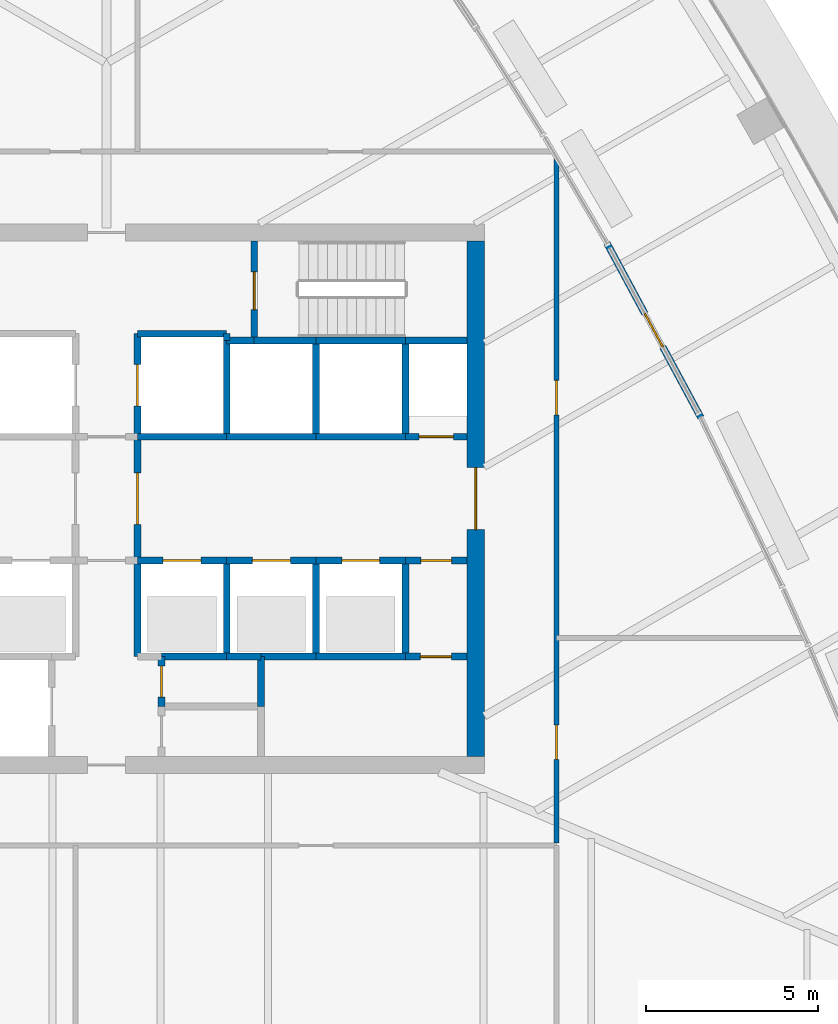
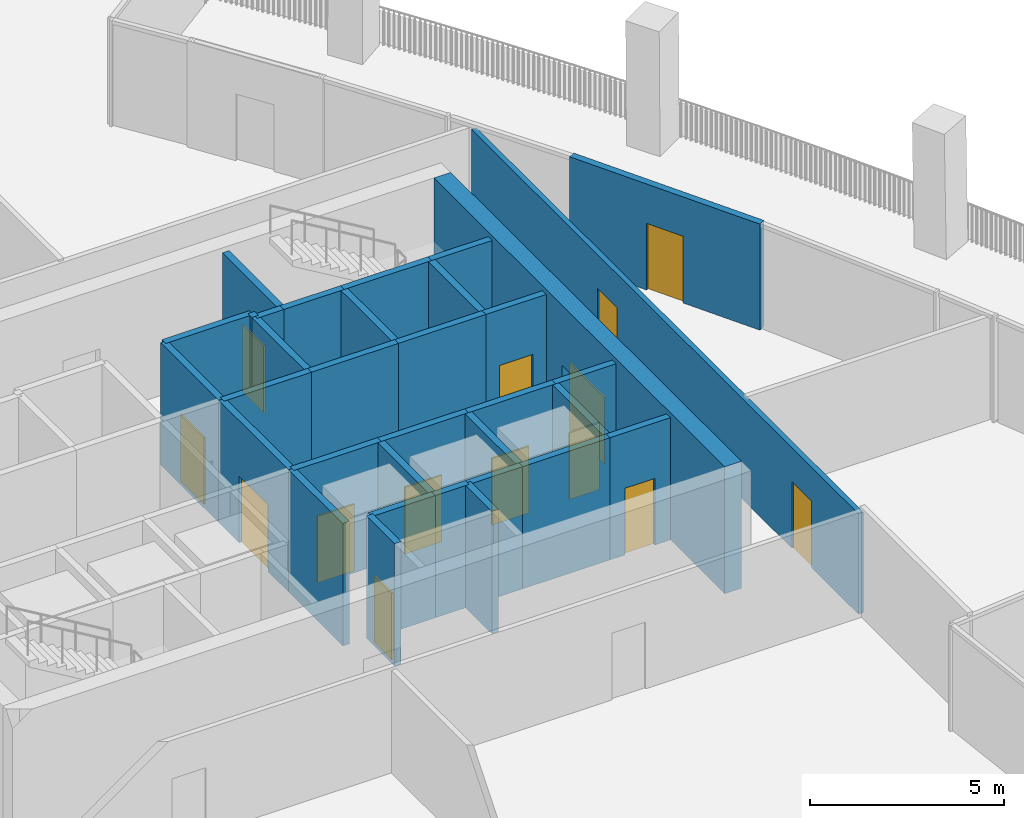
# One storey, part 14 of 20: 34 walls, 14 doors, 14 openings.
"""IFC4 building model written with IfcOpenShell, lengths in metres."""

from ifc_helpers import new_model, si_unit, direction, frame, frame_2d, origin, place, context, subcontext, project, spatial, rectangle, extrude, material, layer, layer_set, type_object, element, fill, save


model = new_model("IFC4")

# Units and contexts
model_context = context("Model", 3, precision=1e-05, world=origin(), true_north=direction((0.0, 1.0)))
body_context = subcontext(model_context, "Body", "Model", "MODEL_VIEW")
ifc_project = project(units=[si_unit("LENGTHUNIT", "METRE"), si_unit("AREAUNIT", "SQUARE_METRE"), si_unit("VOLUMEUNIT", "CUBIC_METRE"), si_unit("PLANEANGLEUNIT", "RADIAN"), si_unit("MASSUNIT", "GRAM", prefix="KILO")], contexts=[model_context])

# Site, building, storey
site_placement = place(None, origin())
site = spatial("IfcSite", under=ifc_project, at=site_placement, CompositionType="ELEMENT")
building_placement = place(site_placement, origin())
building = spatial("IfcBuilding", under=site, at=building_placement, Name="Sierra Prisma Convention Tower", CompositionType="ELEMENT")
storey_placement = place(building_placement, frame((0.0, 0.0, 125.800048828125)))
storey = spatial("IfcBuildingStorey", under=building, at=storey_placement, Name="L26", CompositionType="ELEMENT", Elevation=125.800048828125)

# Wall, opening, door
ifc_material_1 = material(Name="Concrete C30/37", Category="concrete")
ifc_layer_1 = layer(ifc_material_1, 0.199951171875)
ifc_layer_set_1 = layer_set([ifc_layer_1], Name="Core wall RC 200 C30/37")
wall_type_1 = type_object("IfcWallType", Name="Core wall RC 200 C30/37", PredefinedType="SOLIDWALL", material=ifc_layer_set_1)
wall_1_placement = place(storey_placement, frame((0.89990234375, -1.800048828125, 0.0), z_axis=(0.0, 0.0, 1.0), x_axis=(1.0, 0.0, 0.0)))
wall_1 = element("IfcWall", 1, at=wall_1_placement, inside=storey, type_object=wall_type_1, Name="Core wall L26 35", PredefinedType="SOLIDWALL", context=body_context, shape_type="SweptSolid", body=[
    extrude(rectangle(XDim=2.60009765625, YDim=0.199951171875, at=frame_2d((1.300048828125, 0.0))), origin(), (0.0, 0.0, 1.0), 3.849853515625),
])
opening_1_placement = place(wall_1_placement, frame((0.75, 0.0, 0.0)))
opening_1 = element("IfcOpeningElement", 2, at=opening_1_placement, cuts=wall_1, Name="Opening L26-D007", PredefinedType="OPENING", context=body_context, shape_type="SweptSolid", body=[
    extrude(rectangle(XDim=1.10009765625, YDim=2.10009765625, at=frame_2d((0.550048828125, 1.050048828125))), frame((0.0, 0.10009765625, 0.0), z_axis=(0.0, -1.0, 0.0), x_axis=(1.0, 0.0, 0.0)), (0.0, 0.0, 1.0), 0.199951171875),
])
ifc_material_2 = material(Name="Steel fire door leaf", Category="steel")
door_type_1 = type_object("IfcDoorType", Name="Door 1100x2100 EI 90 sliding lift landing", OperationType="SLIDING_TO_LEFT", PredefinedType="DOOR", material=ifc_material_2)
door_1_placement = place(opening_1_placement, origin())
door_1 = element("IfcDoor", 3, at=door_1_placement, inside=storey, type_object=door_type_1, Name="Door L26 14", OperationType="SLIDING_TO_RIGHT", OverallHeight=2.10009765625, OverallWidth=1.10009765625, PredefinedType="DOOR", context=body_context, shape_type="SweptSolid", body=[
    extrude(rectangle(XDim=1.10009765625, YDim=2.10009765625, at=frame_2d((0.550048828125, 1.050048828125))), frame((0.0, 0.02490234375, 0.0), z_axis=(0.0, -1.0, 0.0), x_axis=(1.0, 0.0, 0.0)), (0.0, 0.0, 1.0), 0.050048828125),
])
fill(opening_1, door_1)

wall_2_placement = place(storey_placement, frame((0.89990234375, -1.800048828125, 0.0), z_axis=(0.0, 0.0, 1.0), x_axis=(0.0, 1.0, 0.0)))
wall_2 = element("IfcWall", 4, at=wall_2_placement, inside=storey, type_object=wall_type_1, Name="Core wall L26 36", PredefinedType="SOLIDWALL", context=body_context, shape_type="SweptSolid", body=[
    extrude(rectangle(XDim=3.60009765625, YDim=0.199951171875, at=frame_2d((1.800048828125, 0.0))), origin(), (0.0, 0.0, 1.0), 3.849853515625),
])
opening_2_placement = place(wall_2_placement, frame((1.050048828125, 0.0, 0.0)))
opening_2 = element("IfcOpeningElement", 5, at=opening_2_placement, cuts=wall_2, Name="Opening L26-D014", PredefinedType="OPENING", context=body_context, shape_type="SweptSolid", body=[
    extrude(rectangle(XDim=1.5, YDim=2.10009765625, at=frame_2d((0.75, 1.050048828125))), frame((0.0, 0.10009765625, 0.0), z_axis=(0.0, -1.0, 0.0), x_axis=(1.0, 0.0, 0.0)), (0.0, 0.0, 1.0), 0.199951171875),
])
ifc_material_3 = material(Name="Steel fire door leaf", Category="steel")
door_type_2 = type_object("IfcDoorType", Name="Door 1500x2100 FD30S", OperationType="DOUBLE_DOOR_SINGLE_SWING", PredefinedType="DOOR", material=ifc_material_3)
door_2_placement = place(opening_2_placement, origin())
door_2 = element("IfcDoor", 6, at=door_2_placement, inside=storey, type_object=door_type_2, Name="Door L26 21", OperationType="DOUBLE_DOOR_SINGLE_SWING", OverallHeight=2.10009765625, OverallWidth=1.5, PredefinedType="DOOR", context=body_context, shape_type="SweptSolid", body=[
    extrude(rectangle(XDim=1.5, YDim=2.10009765625, at=frame_2d((0.75, 1.050048828125))), frame((0.0, 0.02490234375, 0.0), z_axis=(0.0, -1.0, 0.0), x_axis=(1.0, 0.0, 0.0)), (0.0, 0.0, 1.0), 0.050048828125),
])
fill(opening_2, door_2)

# Walls
wall_3_placement = place(storey_placement, frame((0.89990234375, -1.800048828125, 0.0), z_axis=(0.0, 0.0, 1.0), x_axis=(0.0, -1.0, 0.0)))
element("IfcWall", 7, at=wall_3_placement, inside=storey, type_object=wall_type_1, Name="Core wall L26 37", PredefinedType="SOLIDWALL", context=body_context, shape_type="SweptSolid", body=[
    extrude(rectangle(XDim=2.800048828125, YDim=0.199951171875, at=frame_2d((1.39990234375, 0.0))), origin(), (0.0, 0.0, 1.0), 3.849853515625),
])
wall_4_placement = place(storey_placement, frame((3.5, 1.800048828125, 0.0), z_axis=(0.0, 0.0, 1.0), x_axis=(-1.0, 0.0, 0.0)))
element("IfcWall", 8, at=wall_4_placement, inside=storey, type_object=wall_type_1, Name="Core wall L26 39", PredefinedType="SOLIDWALL", context=body_context, shape_type="SweptSolid", body=[
    extrude(rectangle(XDim=2.60009765625, YDim=0.199951171875, at=frame_2d((1.300048828125, 0.0))), origin(), (0.0, 0.0, 1.0), 3.849853515625),
])
wall_5_placement = place(storey_placement, frame((3.5, 4.60009765625, 0.0), z_axis=(0.0, 0.0, 1.0), x_axis=(0.0, 1.0, 0.0)))
element("IfcWall", 9, at=wall_5_placement, inside=storey, type_object=wall_type_1, Name="Core wall L26 40", PredefinedType="SOLIDWALL", context=body_context, shape_type="SweptSolid", body=[
    extrude(rectangle(XDim=0.199951171875, YDim=0.199951171875, at=frame_2d((0.10009765625, 0.0))), origin(), (0.0, 0.0, 1.0), 3.849853515625),
])
wall_6_placement = place(storey_placement, frame((3.5, 4.800048828125, 0.0), z_axis=(0.0, 0.0, 1.0), x_axis=(-1.0, 0.0, 0.0)))
element("IfcWall", 10, at=wall_6_placement, inside=storey, type_object=wall_type_1, Name="Core wall L26 41", PredefinedType="SOLIDWALL", context=body_context, shape_type="SweptSolid", body=[
    extrude(rectangle(XDim=2.60009765625, YDim=0.199951171875, at=frame_2d((1.300048828125, 0.0))), origin(), (0.0, 0.0, 1.0), 3.849853515625),
])

# Wall, opening, door
wall_7_placement = place(storey_placement, frame((0.89990234375, 4.800048828125, 0.0), z_axis=(0.0, 0.0, 1.0), x_axis=(0.0, -1.0, 0.0)))
wall_7 = element("IfcWall", 11, at=wall_7_placement, inside=storey, type_object=wall_type_1, Name="Core wall L26 42", PredefinedType="SOLIDWALL", context=body_context, shape_type="SweptSolid", body=[
    extrude(rectangle(XDim=3.0, YDim=0.199951171875, at=frame_2d((1.5, 0.0))), origin(), (0.0, 0.0, 1.0), 3.849853515625),
])
opening_3_placement = place(wall_7_placement, frame((0.89990234375, 0.0, 0.0)))
opening_3 = element("IfcOpeningElement", 12, at=opening_3_placement, cuts=wall_7, Name="Opening L26-D011", PredefinedType="OPENING", context=body_context, shape_type="SweptSolid", body=[
    extrude(rectangle(XDim=1.199951171875, YDim=2.10009765625, at=frame_2d((0.60009765625, 1.050048828125))), frame((0.0, 0.10009765625, 0.0), z_axis=(0.0, -1.0, 0.0), x_axis=(1.0, 0.0, 0.0)), (0.0, 0.0, 1.0), 0.199951171875),
])
ifc_material_4 = material(Name="Steel fire door leaf", Category="steel")
door_type_3 = type_object("IfcDoorType", Name="Door 1200x2100 EI 90 sliding lift landing", OperationType="SLIDING_TO_LEFT", PredefinedType="DOOR", material=ifc_material_4)
door_3_placement = place(opening_3_placement, origin())
door_3 = element("IfcDoor", 13, at=door_3_placement, inside=storey, type_object=door_type_3, Name="Door L26 18", OperationType="SLIDING_TO_LEFT", OverallHeight=2.10009765625, OverallWidth=1.199951171875, PredefinedType="DOOR", context=body_context, shape_type="SweptSolid", body=[
    extrude(rectangle(XDim=1.199951171875, YDim=2.10009765625, at=frame_2d((0.60009765625, 1.050048828125))), frame((0.0, 0.02490234375, 0.0), z_axis=(0.0, -1.0, 0.0), x_axis=(1.0, 0.0, 0.0)), (0.0, 0.0, 1.0), 0.050048828125),
])
fill(opening_3, door_3)

wall_8_placement = place(storey_placement, frame((1.60009765625, -4.60009765625, 0.0), z_axis=(0.0, 0.0, 1.0), x_axis=(0.0, -1.0, 0.0)))
wall_8 = element("IfcWall", 14, at=wall_8_placement, inside=storey, type_object=wall_type_1, Name="Core wall L26 45", PredefinedType="SOLIDWALL", context=body_context, shape_type="SweptSolid", body=[
    extrude(rectangle(XDim=1.449951171875, YDim=0.199951171875, at=frame_2d((0.72509765625, 0.0))), origin(), (0.0, 0.0, 1.0), 3.849853515625),
])
opening_4_placement = place(wall_8_placement, frame((0.27490234375, 0.0, 0.0)))
opening_4 = element("IfcOpeningElement", 15, at=opening_4_placement, cuts=wall_8, Name="Opening L26-D026", PredefinedType="OPENING", context=body_context, shape_type="SweptSolid", body=[
    extrude(rectangle(XDim=0.89990234375, YDim=2.10009765625, at=frame_2d((0.449951171875, 1.050048828125))), frame((0.0, 0.10009765625, 0.0), z_axis=(0.0, -1.0, 0.0), x_axis=(1.0, 0.0, 0.0)), (0.0, 0.0, 1.0), 0.199951171875),
])
ifc_material_5 = material(Name="Steel fire door leaf", Category="steel")
door_type_4 = type_object("IfcDoorType", Name="Door 900x2100 FD30S", OperationType="SINGLE_SWING_LEFT", PredefinedType="DOOR", material=ifc_material_5)
door_4_placement = place(opening_4_placement, origin())
door_4 = element("IfcDoor", 16, at=door_4_placement, inside=storey, type_object=door_type_4, Name="Door L26 33", OperationType="SINGLE_SWING_RIGHT", OverallHeight=2.10009765625, OverallWidth=0.89990234375, PredefinedType="DOOR", context=body_context, shape_type="SweptSolid", body=[
    extrude(rectangle(XDim=0.89990234375, YDim=2.10009765625, at=frame_2d((0.449951171875, 1.050048828125))), frame((0.0, 0.02490234375, 0.0), z_axis=(0.0, -1.0, 0.0), x_axis=(1.0, 0.0, 0.0)), (0.0, 0.0, 1.0), 0.050048828125),
])
fill(opening_4, door_4)

# Walls
wall_9_placement = place(storey_placement, frame((3.5, -4.60009765625, 0.0), z_axis=(0.0, 0.0, 1.0), x_axis=(-1.0, 0.0, 0.0)))
element("IfcWall", 17, at=wall_9_placement, inside=storey, type_object=wall_type_1, Name="Core wall L26 46", PredefinedType="SOLIDWALL", context=body_context, shape_type="SweptSolid", body=[
    extrude(rectangle(XDim=1.89990234375, YDim=0.199951171875, at=frame_2d((0.949951171875, 0.0))), origin(), (0.0, 0.0, 1.0), 3.849853515625),
])
wall_10_placement = place(storey_placement, frame((4.5, -4.60009765625, 0.0), z_axis=(0.0, 0.0, 1.0), x_axis=(-1.0, 0.0, 0.0)))
element("IfcWall", 18, at=wall_10_placement, inside=storey, type_object=wall_type_1, Name="Core wall L26 47", PredefinedType="SOLIDWALL", context=body_context, shape_type="SweptSolid", body=[
    extrude(rectangle(XDim=1.0, YDim=0.199951171875, at=frame_2d((0.5, 0.0))), origin(), (0.0, 0.0, 1.0), 3.849853515625),
])
wall_11_placement = place(storey_placement, frame((3.5, -4.60009765625, 0.0), z_axis=(0.0, 0.0, 1.0), x_axis=(0.0, 1.0, 0.0)))
element("IfcWall", 19, at=wall_11_placement, inside=storey, type_object=wall_type_1, Name="Core wall L26 48", PredefinedType="SOLIDWALL", context=body_context, shape_type="SweptSolid", body=[
    extrude(rectangle(XDim=2.800048828125, YDim=0.199951171875, at=frame_2d((1.39990234375, 0.0))), origin(), (0.0, 0.0, 1.0), 3.849853515625),
])

# Wall, opening, door
wall_12_placement = place(storey_placement, frame((3.5, -1.800048828125, 0.0), z_axis=(0.0, 0.0, 1.0), x_axis=(1.0, 0.0, 0.0)))
wall_12 = element("IfcWall", 20, at=wall_12_placement, inside=storey, type_object=wall_type_1, Name="Core wall L26 49", PredefinedType="SOLIDWALL", context=body_context, shape_type="SweptSolid", body=[
    extrude(rectangle(XDim=2.60009765625, YDim=0.199951171875, at=frame_2d((1.300048828125, 0.0))), origin(), (0.0, 0.0, 1.0), 3.849853515625),
])
opening_5_placement = place(wall_12_placement, frame((0.75, 0.0, 0.0)))
opening_5 = element("IfcOpeningElement", 21, at=opening_5_placement, cuts=wall_12, Name="Opening L26-D008", PredefinedType="OPENING", context=body_context, shape_type="SweptSolid", body=[
    extrude(rectangle(XDim=1.10009765625, YDim=2.10009765625, at=frame_2d((0.550048828125, 1.050048828125))), frame((0.0, 0.10009765625, 0.0), z_axis=(0.0, -1.0, 0.0), x_axis=(1.0, 0.0, 0.0)), (0.0, 0.0, 1.0), 0.199951171875),
])
door_5_placement = place(opening_5_placement, origin())
door_5 = element("IfcDoor", 22, at=door_5_placement, inside=storey, type_object=door_type_1, Name="Door L26 15", OperationType="SLIDING_TO_LEFT", OverallHeight=2.10009765625, OverallWidth=1.10009765625, PredefinedType="DOOR", context=body_context, shape_type="SweptSolid", body=[
    extrude(rectangle(XDim=1.10009765625, YDim=2.10009765625, at=frame_2d((0.550048828125, 1.050048828125))), frame((0.0, 0.02490234375, 0.0), z_axis=(0.0, -1.0, 0.0), x_axis=(1.0, 0.0, 0.0)), (0.0, 0.0, 1.0), 0.050048828125),
])
fill(opening_5, door_5)

# Walls
wall_13_placement = place(storey_placement, frame((6.10009765625, 1.800048828125, 0.0), z_axis=(0.0, 0.0, 1.0), x_axis=(-1.0, 0.0, 0.0)))
element("IfcWall", 23, at=wall_13_placement, inside=storey, type_object=wall_type_1, Name="Core wall L26 50", PredefinedType="SOLIDWALL", context=body_context, shape_type="SweptSolid", body=[
    extrude(rectangle(XDim=2.60009765625, YDim=0.199951171875, at=frame_2d((1.300048828125, 0.0))), origin(), (0.0, 0.0, 1.0), 3.849853515625),
])
wall_14_placement = place(storey_placement, frame((3.5, 1.800048828125, 0.0), z_axis=(0.0, 0.0, 1.0), x_axis=(0.0, 1.0, 0.0)))
element("IfcWall", 24, at=wall_14_placement, inside=storey, type_object=wall_type_1, Name="Core wall L26 51", PredefinedType="SOLIDWALL", context=body_context, shape_type="SweptSolid", body=[
    extrude(rectangle(XDim=2.800048828125, YDim=0.199951171875, at=frame_2d((1.39990234375, 0.0))), origin(), (0.0, 0.0, 1.0), 3.849853515625),
])
wall_15_placement = place(storey_placement, frame((4.300048828125, 4.60009765625, 0.0), z_axis=(0.0, 0.0, 1.0), x_axis=(-1.0, 0.0, 0.0)))
element("IfcWall", 25, at=wall_15_placement, inside=storey, type_object=wall_type_1, Name="Core wall L26 52", PredefinedType="SOLIDWALL", context=body_context, shape_type="SweptSolid", body=[
    extrude(rectangle(XDim=0.800048828125, YDim=0.199951171875, at=frame_2d((0.39990234375, 0.0))), origin(), (0.0, 0.0, 1.0), 3.849853515625),
])
wall_16_placement = place(storey_placement, frame((6.10009765625, 4.60009765625, 0.0), z_axis=(0.0, 0.0, 1.0), x_axis=(-1.0, 0.0, 0.0)))
element("IfcWall", 26, at=wall_16_placement, inside=storey, type_object=wall_type_1, Name="Core wall L26 53", PredefinedType="SOLIDWALL", context=body_context, shape_type="SweptSolid", body=[
    extrude(rectangle(XDim=1.800048828125, YDim=0.199951171875, at=frame_2d((0.89990234375, 0.0))), origin(), (0.0, 0.0, 1.0), 3.849853515625),
])

# Wall, opening, door
wall_17_placement = place(storey_placement, frame((4.300048828125, 7.5, 0.0), z_axis=(0.0, 0.0, 1.0), x_axis=(0.0, -1.0, 0.0)))
wall_17 = element("IfcWall", 27, at=wall_17_placement, inside=storey, type_object=wall_type_1, Name="Core wall L26 54", PredefinedType="SOLIDWALL", context=body_context, shape_type="SweptSolid", body=[
    extrude(rectangle(XDim=2.89990234375, YDim=0.199951171875, at=frame_2d((1.449951171875, 0.0))), origin(), (0.0, 0.0, 1.0), 3.849853515625),
])
opening_6_placement = place(wall_17_placement, frame((0.89990234375, 0.0, 0.0)))
opening_6 = element("IfcOpeningElement", 28, at=opening_6_placement, cuts=wall_17, Name="Opening L26-D022", PredefinedType="OPENING", context=body_context, shape_type="SweptSolid", body=[
    extrude(rectangle(XDim=1.10009765625, YDim=2.10009765625, at=frame_2d((0.550048828125, 1.050048828125))), frame((0.0, 0.10009765625, 0.0), z_axis=(0.0, -1.0, 0.0), x_axis=(1.0, 0.0, 0.0)), (0.0, 0.0, 1.0), 0.199951171875),
])
ifc_material_6 = material(Name="Steel fire door leaf", Category="steel")
door_type_5 = type_object("IfcDoorType", Name="Door 1100x2100 FD90S", OperationType="SINGLE_SWING_LEFT", PredefinedType="DOOR", material=ifc_material_6)
door_6_placement = place(opening_6_placement, origin())
door_6 = element("IfcDoor", 29, at=door_6_placement, inside=storey, type_object=door_type_5, Name="Door L26 29", OperationType="SINGLE_SWING_LEFT", OverallHeight=2.10009765625, OverallWidth=1.10009765625, PredefinedType="DOOR", context=body_context, shape_type="SweptSolid", body=[
    extrude(rectangle(XDim=1.10009765625, YDim=2.10009765625, at=frame_2d((0.550048828125, 1.050048828125))), frame((0.0, 0.02490234375, 0.0), z_axis=(0.0, -1.0, 0.0), x_axis=(1.0, 0.0, 0.0)), (0.0, 0.0, 1.0), 0.050048828125),
])
fill(opening_6, door_6)

# Walls
wall_18_placement = place(storey_placement, frame((4.5, -4.60009765625, 0.0), z_axis=(0.0, 0.0, 1.0), x_axis=(0.0, -1.0, 0.0)))
element("IfcWall", 30, at=wall_18_placement, inside=storey, type_object=wall_type_1, Name="Core wall L26 56", PredefinedType="SOLIDWALL", context=body_context, shape_type="SweptSolid", body=[
    extrude(rectangle(XDim=1.449951171875, YDim=0.199951171875, at=frame_2d((0.72509765625, 0.0))), origin(), (0.0, 0.0, 1.0), 3.849853515625),
])
wall_19_placement = place(storey_placement, frame((6.10009765625, -4.60009765625, 0.0), z_axis=(0.0, 0.0, 1.0), x_axis=(-1.0, 0.0, 0.0)))
element("IfcWall", 31, at=wall_19_placement, inside=storey, type_object=wall_type_1, Name="Core wall L26 57", PredefinedType="SOLIDWALL", context=body_context, shape_type="SweptSolid", body=[
    extrude(rectangle(XDim=1.60009765625, YDim=0.199951171875, at=frame_2d((0.800048828125, 0.0))), origin(), (0.0, 0.0, 1.0), 3.849853515625),
])
wall_20_placement = place(storey_placement, frame((8.699951171875, -4.60009765625, 0.0), z_axis=(0.0, 0.0, 1.0), x_axis=(-1.0, 0.0, 0.0)))
element("IfcWall", 32, at=wall_20_placement, inside=storey, type_object=wall_type_1, Name="Core wall L26 58", PredefinedType="SOLIDWALL", context=body_context, shape_type="SweptSolid", body=[
    extrude(rectangle(XDim=2.599853515625, YDim=0.199951171875, at=frame_2d((1.2998046875, 0.0))), origin(), (0.0, 0.0, 1.0), 3.849853515625),
])
wall_21_placement = place(storey_placement, frame((6.10009765625, -4.60009765625, 0.0), z_axis=(0.0, 0.0, 1.0), x_axis=(0.0, 1.0, 0.0)))
element("IfcWall", 33, at=wall_21_placement, inside=storey, type_object=wall_type_1, Name="Core wall L26 59", PredefinedType="SOLIDWALL", context=body_context, shape_type="SweptSolid", body=[
    extrude(rectangle(XDim=2.800048828125, YDim=0.199951171875, at=frame_2d((1.39990234375, 0.0))), origin(), (0.0, 0.0, 1.0), 3.849853515625),
])

# Wall, opening, door
wall_22_placement = place(storey_placement, frame((6.10009765625, -1.800048828125, 0.0), z_axis=(0.0, 0.0, 1.0), x_axis=(1.0, 0.0, 0.0)))
wall_22 = element("IfcWall", 34, at=wall_22_placement, inside=storey, type_object=wall_type_1, Name="Core wall L26 60", PredefinedType="SOLIDWALL", context=body_context, shape_type="SweptSolid", body=[
    extrude(rectangle(XDim=2.599853515625, YDim=0.199951171875, at=frame_2d((1.2998046875, 0.0))), origin(), (0.0, 0.0, 1.0), 3.849853515625),
])
opening_7_placement = place(wall_22_placement, frame((0.75, 0.0, 0.0)))
opening_7 = element("IfcOpeningElement", 35, at=opening_7_placement, cuts=wall_22, Name="Opening L26-D009", PredefinedType="OPENING", context=body_context, shape_type="SweptSolid", body=[
    extrude(rectangle(XDim=1.10009765625, YDim=2.10009765625, at=frame_2d((0.550048828125, 1.050048828125))), frame((0.0, 0.10009765625, 0.0), z_axis=(0.0, -1.0, 0.0), x_axis=(1.0, 0.0, 0.0)), (0.0, 0.0, 1.0), 0.199951171875),
])
door_7_placement = place(opening_7_placement, origin())
door_7 = element("IfcDoor", 36, at=door_7_placement, inside=storey, type_object=door_type_1, Name="Door L26 16", OperationType="SLIDING_TO_RIGHT", OverallHeight=2.10009765625, OverallWidth=1.10009765625, PredefinedType="DOOR", context=body_context, shape_type="SweptSolid", body=[
    extrude(rectangle(XDim=1.10009765625, YDim=2.10009765625, at=frame_2d((0.550048828125, 1.050048828125))), frame((0.0, 0.02490234375, 0.0), z_axis=(0.0, -1.0, 0.0), x_axis=(1.0, 0.0, 0.0)), (0.0, 0.0, 1.0), 0.050048828125),
])
fill(opening_7, door_7)

# Walls
wall_23_placement = place(storey_placement, frame((8.699951171875, 1.800048828125, 0.0), z_axis=(0.0, 0.0, 1.0), x_axis=(-1.0, 0.0, 0.0)))
element("IfcWall", 37, at=wall_23_placement, inside=storey, type_object=wall_type_1, Name="Core wall L26 61", PredefinedType="SOLIDWALL", context=body_context, shape_type="SweptSolid", body=[
    extrude(rectangle(XDim=2.599853515625, YDim=0.199951171875, at=frame_2d((1.2998046875, 0.0))), origin(), (0.0, 0.0, 1.0), 3.849853515625),
])
wall_24_placement = place(storey_placement, frame((6.10009765625, 1.800048828125, 0.0), z_axis=(0.0, 0.0, 1.0), x_axis=(0.0, 1.0, 0.0)))
element("IfcWall", 38, at=wall_24_placement, inside=storey, type_object=wall_type_1, Name="Core wall L26 62", PredefinedType="SOLIDWALL", context=body_context, shape_type="SweptSolid", body=[
    extrude(rectangle(XDim=2.800048828125, YDim=0.199951171875, at=frame_2d((1.39990234375, 0.0))), origin(), (0.0, 0.0, 1.0), 3.849853515625),
])
wall_25_placement = place(storey_placement, frame((8.699951171875, 4.60009765625, 0.0), z_axis=(0.0, 0.0, 1.0), x_axis=(-1.0, 0.0, 0.0)))
element("IfcWall", 39, at=wall_25_placement, inside=storey, type_object=wall_type_1, Name="Core wall L26 63", PredefinedType="SOLIDWALL", context=body_context, shape_type="SweptSolid", body=[
    extrude(rectangle(XDim=2.599853515625, YDim=0.199951171875, at=frame_2d((1.2998046875, 0.0))), origin(), (0.0, 0.0, 1.0), 3.849853515625),
])

# Wall, opening, door
wall_26_placement = place(storey_placement, frame((10.5, -4.60009765625, 0.0), z_axis=(0.0, 0.0, 1.0), x_axis=(-1.0, 0.0, 0.0)))
wall_26 = element("IfcWall", 40, at=wall_26_placement, inside=storey, type_object=wall_type_1, Name="Core wall L26 64", PredefinedType="SOLIDWALL", context=body_context, shape_type="SweptSolid", body=[
    extrude(rectangle(XDim=1.800048828125, YDim=0.199951171875, at=frame_2d((0.89990234375, 0.0))), origin(), (0.0, 0.0, 1.0), 3.849853515625),
])
opening_8_placement = place(wall_26_placement, frame((0.4599609375, 0.0, 0.0)))
opening_8 = element("IfcOpeningElement", 41, at=opening_8_placement, cuts=wall_26, Name="Opening L26-D023", PredefinedType="OPENING", context=body_context, shape_type="SweptSolid", body=[
    extrude(rectangle(XDim=0.89990234375, YDim=2.10009765625, at=frame_2d((0.449951171875, 1.050048828125))), frame((0.0, 0.10009765625, 0.0), z_axis=(0.0, -1.0, 0.0), x_axis=(1.0, 0.0, 0.0)), (0.0, 0.0, 1.0), 0.199951171875),
])
door_8_placement = place(opening_8_placement, origin())
door_8 = element("IfcDoor", 42, at=door_8_placement, inside=storey, type_object=door_type_4, Name="Door L26 30", OperationType="SINGLE_SWING_RIGHT", OverallHeight=2.10009765625, OverallWidth=0.89990234375, PredefinedType="DOOR", context=body_context, shape_type="SweptSolid", body=[
    extrude(rectangle(XDim=0.89990234375, YDim=2.10009765625, at=frame_2d((0.449951171875, 1.050048828125))), frame((0.0, 0.02490234375, 0.0), z_axis=(0.0, -1.0, 0.0), x_axis=(1.0, 0.0, 0.0)), (0.0, 0.0, 1.0), 0.050048828125),
])
fill(opening_8, door_8)

# Wall
wall_27_placement = place(storey_placement, frame((8.699951171875, -1.800048828125, 0.0), z_axis=(0.0, 0.0, 1.0), x_axis=(0.0, -1.0, 0.0)))
element("IfcWall", 43, at=wall_27_placement, inside=storey, type_object=wall_type_1, Name="Core wall L26 65", PredefinedType="SOLIDWALL", context=body_context, shape_type="SweptSolid", body=[
    extrude(rectangle(XDim=2.800048828125, YDim=0.199951171875, at=frame_2d((1.39990234375, 0.0))), origin(), (0.0, 0.0, 1.0), 3.849853515625),
])

# Wall, opening, door
wall_28_placement = place(storey_placement, frame((8.699951171875, -1.800048828125, 0.0), z_axis=(0.0, 0.0, 1.0), x_axis=(1.0, 0.0, 0.0)))
wall_28 = element("IfcWall", 44, at=wall_28_placement, inside=storey, type_object=wall_type_1, Name="Core wall L26 66", PredefinedType="SOLIDWALL", context=body_context, shape_type="SweptSolid", body=[
    extrude(rectangle(XDim=1.800048828125, YDim=0.199951171875, at=frame_2d((0.89990234375, 0.0))), origin(), (0.0, 0.0, 1.0), 3.849853515625),
])
opening_9_placement = place(wall_28_placement, frame((0.449951171875, 0.0, 0.0)))
opening_9 = element("IfcOpeningElement", 45, at=opening_9_placement, cuts=wall_28, Name="Opening L26-D024", PredefinedType="OPENING", context=body_context, shape_type="SweptSolid", body=[
    extrude(rectangle(XDim=0.89990234375, YDim=2.10009765625, at=frame_2d((0.449951171875, 1.050048828125))), frame((0.0, 0.10009765625, 0.0), z_axis=(0.0, -1.0, 0.0), x_axis=(1.0, 0.0, 0.0)), (0.0, 0.0, 1.0), 0.199951171875),
])
door_9_placement = place(opening_9_placement, origin())
door_9 = element("IfcDoor", 46, at=door_9_placement, inside=storey, type_object=door_type_4, Name="Door L26 31", OperationType="SINGLE_SWING_LEFT", OverallHeight=2.10009765625, OverallWidth=0.89990234375, PredefinedType="DOOR", context=body_context, shape_type="SweptSolid", body=[
    extrude(rectangle(XDim=0.89990234375, YDim=2.10009765625, at=frame_2d((0.449951171875, 1.050048828125))), frame((0.0, 0.02490234375, 0.0), z_axis=(0.0, -1.0, 0.0), x_axis=(1.0, 0.0, 0.0)), (0.0, 0.0, 1.0), 0.050048828125),
])
fill(opening_9, door_9)

wall_29_placement = place(storey_placement, frame((10.5, 1.800048828125, 0.0), z_axis=(0.0, 0.0, 1.0), x_axis=(-1.0, 0.0, 0.0)))
wall_29 = element("IfcWall", 47, at=wall_29_placement, inside=storey, type_object=wall_type_1, Name="Core wall L26 67", PredefinedType="SOLIDWALL", context=body_context, shape_type="SweptSolid", body=[
    extrude(rectangle(XDim=1.800048828125, YDim=0.199951171875, at=frame_2d((0.89990234375, 0.0))), origin(), (0.0, 0.0, 1.0), 3.849853515625),
])
opening_10_placement = place(wall_29_placement, frame((0.39990234375, 0.0, 0.0)))
opening_10 = element("IfcOpeningElement", 48, at=opening_10_placement, cuts=wall_29, Name="Opening L26-D019", PredefinedType="OPENING", context=body_context, shape_type="SweptSolid", body=[
    extrude(rectangle(XDim=1.0, YDim=2.10009765625, at=frame_2d((0.5, 1.050048828125))), frame((0.0, 0.10009765625, 0.0), z_axis=(0.0, -1.0, 0.0), x_axis=(1.0, 0.0, 0.0)), (0.0, 0.0, 1.0), 0.199951171875),
])
ifc_material_7 = material(Name="Steel fire door leaf", Category="steel")
door_type_6 = type_object("IfcDoorType", Name="Door 1000x2100 FD60S", OperationType="SINGLE_SWING_LEFT", PredefinedType="DOOR", material=ifc_material_7)
door_10_placement = place(opening_10_placement, origin())
door_10 = element("IfcDoor", 49, at=door_10_placement, inside=storey, type_object=door_type_6, Name="Door L26 26", OperationType="SINGLE_SWING_RIGHT", OverallHeight=2.10009765625, OverallWidth=1.0, PredefinedType="DOOR", context=body_context, shape_type="SweptSolid", body=[
    extrude(rectangle(XDim=1.0, YDim=2.10009765625, at=frame_2d((0.5, 1.050048828125))), frame((0.0, 0.02490234375, 0.0), z_axis=(0.0, -1.0, 0.0), x_axis=(1.0, 0.0, 0.0)), (0.0, 0.0, 1.0), 0.050048828125),
])
fill(opening_10, door_10)

# Walls
wall_30_placement = place(storey_placement, frame((8.699951171875, 4.60009765625, 0.0), z_axis=(0.0, 0.0, 1.0), x_axis=(0.0, -1.0, 0.0)))
element("IfcWall", 50, at=wall_30_placement, inside=storey, type_object=wall_type_1, Name="Core wall L26 68", PredefinedType="SOLIDWALL", context=body_context, shape_type="SweptSolid", body=[
    extrude(rectangle(XDim=2.800048828125, YDim=0.199951171875, at=frame_2d((1.39990234375, 0.0))), origin(), (0.0, 0.0, 1.0), 3.849853515625),
])
wall_31_placement = place(storey_placement, frame((10.5, 4.60009765625, 0.0), z_axis=(0.0, 0.0, 1.0), x_axis=(-1.0, 0.0, 0.0)))
element("IfcWall", 51, at=wall_31_placement, inside=storey, type_object=wall_type_1, Name="Core wall L26 69", PredefinedType="SOLIDWALL", context=body_context, shape_type="SweptSolid", body=[
    extrude(rectangle(XDim=1.800048828125, YDim=0.199951171875, at=frame_2d((0.89990234375, 0.0))), origin(), (0.0, 0.0, 1.0), 3.849853515625),
])

# Wall, opening, door
ifc_material_8 = material(Name="Concrete C60/75", Category="concrete")
ifc_layer_2 = layer(ifc_material_8, 0.5)
ifc_layer_set_2 = layer_set([ifc_layer_2], Name="Core wall RC 500 C60/75")
wall_type_2 = type_object("IfcWallType", Name="Core wall RC 500 C60/75", PredefinedType="SHEAR", material=ifc_layer_set_2)
wall_32_placement = place(storey_placement, frame((10.75, -7.5, 0.0), z_axis=(0.0, 0.0, 1.0), x_axis=(0.0, 1.0, 0.0)))
wall_32 = element("IfcWall", 52, at=wall_32_placement, inside=storey, type_object=wall_type_2, Name="Core wall E L26", PredefinedType="SHEAR", context=body_context, shape_type="SweptSolid", body=[
    extrude(rectangle(XDim=15.0, YDim=0.5, at=frame_2d((7.5, 0.0))), origin(), (0.0, 0.0, 1.0), 4.0),
])
opening_11_placement = place(wall_32_placement, frame((6.60009765625, 0.0, 0.0)))
opening_11 = element("IfcOpeningElement", 53, at=opening_11_placement, cuts=wall_32, Name="Opening L26-D037", PredefinedType="OPENING", context=body_context, shape_type="SweptSolid", body=[
    extrude(rectangle(XDim=1.800048828125, YDim=2.10009765625, at=frame_2d((0.89990234375, 1.050048828125))), frame((0.0, 0.25, 0.0), z_axis=(0.0, -1.0, 0.0), x_axis=(1.0, 0.0, 0.0)), (0.0, 0.0, 1.0), 0.5),
])
ifc_material_9 = material(Name="Steel fire door leaf", Category="steel")
door_type_7 = type_object("IfcDoorType", Name="Door 1800x2100 FD60S", OperationType="DOUBLE_DOOR_SINGLE_SWING", PredefinedType="DOOR", material=ifc_material_9)
door_11_placement = place(opening_11_placement, origin())
door_11 = element("IfcDoor", 54, at=door_11_placement, inside=storey, type_object=door_type_7, Name="Door L26 35", OperationType="DOUBLE_DOOR_SINGLE_SWING", OverallHeight=2.10009765625, OverallWidth=1.800048828125, PredefinedType="DOOR", context=body_context, shape_type="SweptSolid", body=[
    extrude(rectangle(XDim=1.800048828125, YDim=2.10009765625, at=frame_2d((0.89990234375, 1.050048828125))), frame((0.0, 0.02490234375, 0.0), z_axis=(0.0, -1.0, 0.0), x_axis=(1.0, 0.0, 0.0)), (0.0, 0.0, 1.0), 0.050048828125),
])
fill(opening_11, door_11)

# Wall, openings, doors
ifc_material_10 = material(Name="Gypsum board partition", Category="gypsum")
ifc_layer_3 = layer(ifc_material_10, 0.14990234375)
ifc_layer_set_3 = layer_set([ifc_layer_3], Name="Corridor wall 150 gypsum EI 60")
wall_type_3 = type_object("IfcWallType", Name="Corridor wall 150 gypsum EI 60", PredefinedType="PARTITIONING", material=ifc_layer_set_3)
wall_33_placement = place(storey_placement, frame((13.10009765625, -10.02001953125, 0.0), z_axis=(0.0, 0.0, 1.0), x_axis=(0.0, 1.0, 0.0)))
wall_33 = element("IfcWall", 55, at=wall_33_placement, inside=storey, type_object=wall_type_3, Name="Partition L26 corr 4", PredefinedType="PARTITIONING", context=body_context, shape_type="SweptSolid", body=[
    extrude(rectangle(XDim=19.9609375, YDim=0.14990234375, at=frame_2d((9.98046875, 0.0))), origin(), (0.0, 0.0, 1.0), 3.166015625),
])
opening_12_placement = place(wall_33_placement, frame((12.460693359375, 0.0, 0.0)))
opening_12 = element("IfcOpeningElement", 56, at=opening_12_placement, cuts=wall_33, Name="Opening L26-D027", PredefinedType="OPENING", context=body_context, shape_type="SweptSolid", body=[
    extrude(rectangle(XDim=1.0, YDim=2.10009765625, at=frame_2d((0.5, 1.050048828125))), frame((0.0, 0.074951171875, 0.0), z_axis=(0.0, -1.0, 0.0), x_axis=(1.0, 0.0, 0.0)), (0.0, 0.0, 1.0), 0.14990234375),
])
opening_13_placement = place(wall_33_placement, frame((2.430419921875, 0.0, 0.0)))
opening_13 = element("IfcOpeningElement", 57, at=opening_13_placement, cuts=wall_33, Name="Opening L26-D036", PredefinedType="OPENING", context=body_context, shape_type="SweptSolid", body=[
    extrude(rectangle(XDim=1.0, YDim=2.10009765625, at=frame_2d((0.5, 1.050048828125))), frame((0.0, 0.074951171875, 0.0), z_axis=(0.0, -1.0, 0.0), x_axis=(1.0, 0.0, 0.0)), (0.0, 0.0, 1.0), 0.14990234375),
])
ifc_material_11 = material(Name="Steel fire door leaf", Category="steel")
door_type_8 = type_object("IfcDoorType", Name="Door 1000x2100 FD30S", OperationType="SINGLE_SWING_LEFT", PredefinedType="DOOR", material=ifc_material_11)
door_12_placement = place(opening_12_placement, origin())
door_12 = element("IfcDoor", 58, at=door_12_placement, inside=storey, type_object=door_type_8, Name="Door L26 1", OperationType="SINGLE_SWING_LEFT", OverallHeight=2.10009765625, OverallWidth=1.0, PredefinedType="DOOR", context=body_context, shape_type="SweptSolid", body=[
    extrude(rectangle(XDim=1.0, YDim=2.10009765625, at=frame_2d((0.5, 1.050048828125))), frame((0.0, 0.02490234375, 0.0), z_axis=(0.0, -1.0, 0.0), x_axis=(1.0, 0.0, 0.0)), (0.0, 0.0, 1.0), 0.050048828125),
])
fill(opening_12, door_12)
door_13_placement = place(opening_13_placement, origin())
door_13 = element("IfcDoor", 59, at=door_13_placement, inside=storey, type_object=door_type_8, Name="Door L26 10", OperationType="SINGLE_SWING_LEFT", OverallHeight=2.10009765625, OverallWidth=1.0, PredefinedType="DOOR", context=body_context, shape_type="SweptSolid", body=[
    extrude(rectangle(XDim=1.0, YDim=2.10009765625, at=frame_2d((0.5, 1.050048828125))), frame((0.0, 0.02490234375, 0.0), z_axis=(0.0, -1.0, 0.0), x_axis=(1.0, 0.0, 0.0)), (0.0, 0.0, 1.0), 0.050048828125),
])
fill(opening_13, door_13)

# Wall, opening, door
ifc_material_12 = material(Name="Precast concrete C40/50", Category="concrete")
ifc_layer_4 = layer(ifc_material_12, 0.199951171875)
ifc_layer_set_4 = layer_set([ifc_layer_4], Name="Terrace door pier")
wall_type_4 = type_object("IfcWallType", Name="Terrace door pier", PredefinedType="SOLIDWALL", material=ifc_layer_set_4)
wall_34_placement = place(storey_placement, frame((17.299072265625, 2.3642578125, 0.0), z_axis=(0.0, 0.0, 1.0), x_axis=(-0.4740669858, 0.88048878072, 0.0)))
wall_34 = element("IfcWall", 60, at=wall_34_placement, inside=storey, type_object=wall_type_4, Name="Terrace door bay L26.32", PredefinedType="SOLIDWALL", context=body_context, shape_type="SweptSolid", body=[
    extrude(rectangle(XDim=5.763671875, YDim=0.199951171875, at=frame_2d((2.8818359375, 0.0))), origin(), (0.0, 0.0, 1.0), 3.33984375),
])
opening_14_placement = place(wall_34_placement, frame((2.331787109375, 0.0, 0.0)))
opening_14 = element("IfcOpeningElement", 61, at=opening_14_placement, cuts=wall_34, Name="Opening L26-D002", PredefinedType="OPENING", context=body_context, shape_type="SweptSolid", body=[
    extrude(rectangle(XDim=1.10009765625, YDim=2.10009765625, at=frame_2d((0.550048828125, 1.050048828125))), frame((0.0, 0.10009765625, 0.0), z_axis=(0.0, -1.0, 0.0), x_axis=(1.0, 0.0, 0.0)), (0.0, 0.0, 1.0), 0.199951171875),
])
ifc_material_13 = material(Name="Bronze anodised aluminium and glass", Category="aluminium")
door_type_9 = type_object("IfcDoorType", Name="Terrace door 1100 x 2100", OperationType="SINGLE_SWING_LEFT", PredefinedType="DOOR", material=ifc_material_13)
door_14_placement = place(opening_14_placement, origin())
door_14 = element("IfcDoor", 62, at=door_14_placement, inside=storey, type_object=door_type_9, Name="Terrace door L26.32", OperationType="SINGLE_SWING_LEFT", OverallHeight=2.10009765625, OverallWidth=1.10009765625, PredefinedType="DOOR", context=body_context, shape_type="SweptSolid", body=[
    extrude(rectangle(XDim=1.10009765625, YDim=2.10009765625, at=frame_2d((0.550048828125, 1.050048828125))), frame((0.0, 0.02490234375, 0.0), z_axis=(0.0, -1.0, 0.0), x_axis=(1.0, 0.0, 0.0)), (0.0, 0.0, 1.0), 0.050048828125),
])
fill(opening_14, door_14)

save(model, "model.ifc")
